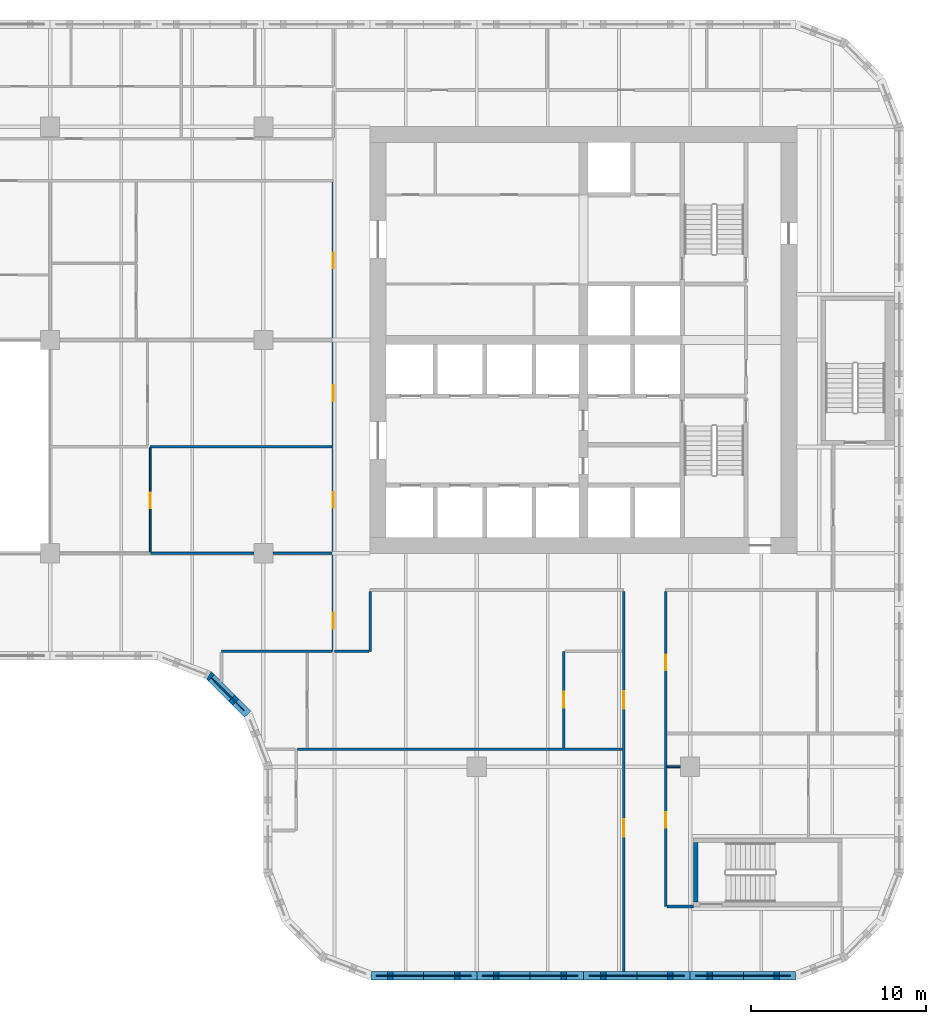
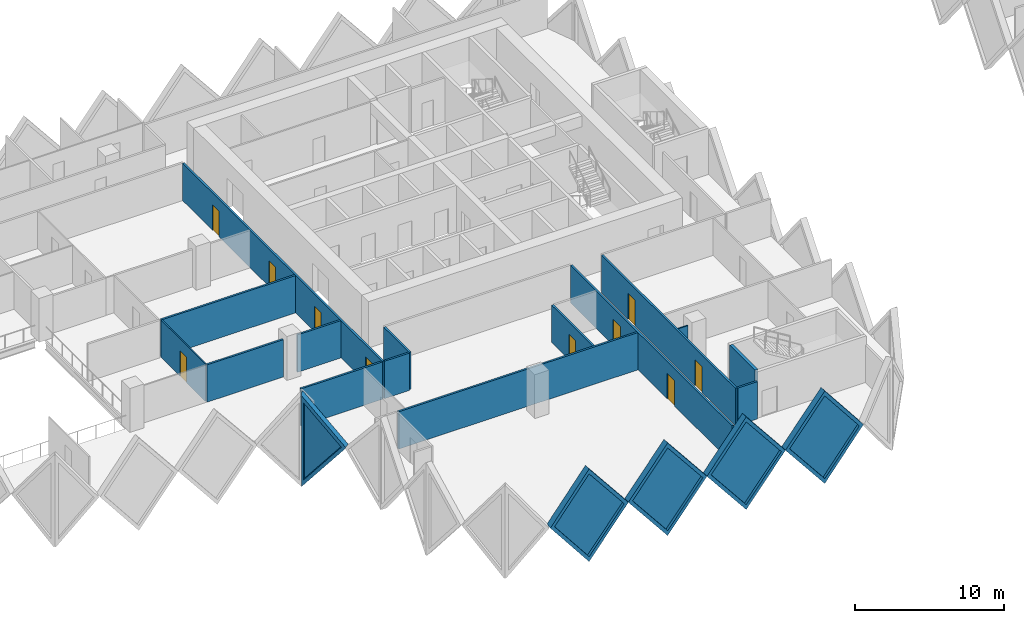
# One storey, part 5 of 18: 20 walls, 10 doors, 5 plates, 15 openings.
"""IFC4 building model written with IfcOpenShell, lengths in metres."""

from ifc_helpers import new_model, si_unit, direction, frame, frame_2d, origin, place, context, subcontext, project, spatial, polyline, rectangle, outline, extrude, faceted_brep, source, transform, mapped, material, layer, layer_set, type_object, element, fill, save


model = new_model("IFC4")

# Units and contexts
model_context = context("Model", 3, precision=1e-05, world=origin(), true_north=direction((0.0, 1.0)))
body_context = subcontext(model_context, "Body", "Model", "MODEL_VIEW")
ifc_project = project(units=[si_unit("LENGTHUNIT", "METRE"), si_unit("AREAUNIT", "SQUARE_METRE"), si_unit("VOLUMEUNIT", "CUBIC_METRE"), si_unit("PLANEANGLEUNIT", "RADIAN"), si_unit("MASSUNIT", "GRAM", prefix="KILO")], contexts=[model_context])

# Site, building, storey
site_placement = place(None, origin())
site = spatial("IfcSite", under=ifc_project, at=site_placement, CompositionType="ELEMENT")
building_placement = place(site_placement, origin())
building = spatial("IfcBuilding", under=site, at=building_placement, Name="Tessera Gate Towers", CompositionType="ELEMENT")
storey_placement = place(building_placement, frame((0.0, 0.0, 44.800048828125)))
storey = spatial("IfcBuildingStorey", under=building, at=storey_placement, Name="L10", CompositionType="ELEMENT", Elevation=44.800048828125)

# Wall
ifc_material_1 = material(Name="Concrete C40/50", Category="concrete")
ifc_layer_1 = layer(ifc_material_1, 0.25)
ifc_layer_set_1 = layer_set([ifc_layer_1], Name="CORE ENCLOSURE WALL 250")
wall_type_1 = type_object("IfcWallType", Name="CORE ENCLOSURE WALL 250", PredefinedType="SOLIDWALL", material=ifc_layer_set_1)
wall_1_placement = place(storey_placement, frame((49.125, 4.449951171875, 0.0), z_axis=(0.0, 0.0, 1.0), x_axis=(0.0, 1.0, 0.0)))
element("IfcWall", 1, at=wall_1_placement, inside=storey, type_object=wall_type_1, Name="L10 ST4 enclosure wall", PredefinedType="SOLIDWALL", context=body_context, shape_type="SweptSolid", body=[
    extrude(rectangle(XDim=3.400146484375, YDim=0.25, at=frame_2d((1.7001953125, 0.0))), origin(), (0.0, 0.0, 1.0), 3.800048828125),
])

# Wall, openings, doors
ifc_material_2 = material(Name="Gypsum board on steel studs, mineral wool", Category="steel")
ifc_layer_2 = layer(ifc_material_2, 0.14990234375)
ifc_layer_set_2 = layer_set([ifc_layer_2], Name="CORRIDOR WALL 150")
wall_type_2 = type_object("IfcWallType", Name="CORRIDOR WALL 150", PredefinedType="PARTITIONING", material=ifc_layer_set_2)
wall_2_placement = place(storey_placement, frame((45.0, 0.5, 0.0), z_axis=(0.0, 0.0, 1.0), x_axis=(0.0, 1.0, 0.0)))
wall_2 = element("IfcWall", 2, at=wall_2_placement, inside=storey, type_object=wall_type_2, Name="T1-L10-PW-001", PredefinedType="PARTITIONING", context=body_context, shape_type="SweptSolid", body=[
    extrude(rectangle(XDim=21.72412109375, YDim=0.14990234375, at=frame_2d((10.862060546875, 0.0))), origin(), (0.0, 0.0, 1.0), 3.06689453125),
])
shared_shape_1 = source(origin(), body_context, "Body", "SweptSolid", [
    extrude(rectangle(XDim=1.0, YDim=2.10009765625, at=frame_2d((0.5, 1.050048828125))), frame((0.0, 0.0849609375, 0.0), z_axis=(0.0, -1.0, 0.0), x_axis=(1.0, 0.0, 0.0)), (0.0, 0.0, 1.0), 0.169921875),
])
opening_1_placement = place(wall_2_placement, frame((15.0009765625, 0.0, 0.0)))
opening_1 = element("IfcOpeningElement", 3, at=opening_1_placement, cuts=wall_2, Name="Opening D2100FD60-A03-01", PredefinedType="OPENING", context=body_context, shape_type="MappedRepresentation", body=[
    mapped(shared_shape_1, transform((0.0, 0.0, 0.0), scale=1.0)),
])
opening_2_placement = place(wall_2_placement, frame((7.699951171875, 0.0, 0.0)))
opening_2 = element("IfcOpeningElement", 4, at=opening_2_placement, cuts=wall_2, Name="Opening D2100FD60-A03-02", PredefinedType="OPENING", context=body_context, shape_type="MappedRepresentation", body=[
    mapped(shared_shape_1, transform((0.0, 0.0, 0.0), scale=1.0)),
])
ifc_material_3 = material(Name="Timber door leaf in steel frame", Category="steel")
door_type_1 = type_object("IfcDoorType", Name="TENANCY ENTRANCE DOOR 1000 FD60", OperationType="NOTDEFINED", PredefinedType="DOOR", material=ifc_material_3)
shared_shape_2 = source(origin(), body_context, "Body", "SweptSolid", [
    extrude(rectangle(XDim=1.0, YDim=2.10009765625, at=frame_2d((0.5, 1.050048828125))), frame((0.0, 0.02490234375, 0.0), z_axis=(0.0, -1.0, 0.0), x_axis=(1.0, 0.0, 0.0)), (0.0, 0.0, 1.0), 0.050048828125),
])
door_1_placement = place(opening_1_placement, origin())
door_1 = element("IfcDoor", 5, at=door_1_placement, inside=storey, type_object=door_type_1, Name="T1-L10-PD-010", OperationType="SINGLE_SWING_LEFT", OverallHeight=2.10009765625, OverallWidth=1.0, PredefinedType="DOOR", context=body_context, shape_type="MappedRepresentation", body=[
    mapped(shared_shape_2, transform((0.0, 0.0, 0.0), scale=1.0)),
])
fill(opening_1, door_1)
door_2_placement = place(opening_2_placement, origin())
door_2 = element("IfcDoor", 6, at=door_2_placement, inside=storey, type_object=door_type_1, Name="T1-L10-PD-024", OperationType="SINGLE_SWING_LEFT", OverallHeight=2.10009765625, OverallWidth=1.0, PredefinedType="DOOR", context=body_context, shape_type="MappedRepresentation", body=[
    mapped(shared_shape_2, transform((0.0, 0.0, 0.0), scale=1.0)),
])
fill(opening_2, door_2)

wall_3_placement = place(storey_placement, frame((47.39990234375, 22.22412109375, 0.0), z_axis=(0.0, 0.0, 1.0), x_axis=(0.0, -1.0, 0.0)))
wall_3 = element("IfcWall", 7, at=wall_3_placement, inside=storey, type_object=wall_type_2, Name="T1-L10-PW-003", PredefinedType="PARTITIONING", context=body_context, shape_type="SweptSolid", body=[
    extrude(rectangle(XDim=18.024169921875, YDim=0.14990234375, at=frame_2d((9.01220703125, 0.0))), origin(), (0.0, 0.0, 1.0), 3.06689453125),
])
shared_shape_3 = source(origin(), body_context, "Body", "SweptSolid", [
    extrude(rectangle(XDim=0.89990234375, YDim=2.10009765625, at=frame_2d((0.449951171875, 1.050048828125))), frame((0.0, 0.0849609375, 0.0), z_axis=(0.0, -1.0, 0.0), x_axis=(1.0, 0.0, 0.0)), (0.0, 0.0, 1.0), 0.169921875),
])
opening_3_placement = place(wall_3_placement, frame((3.623046875, 0.0, 0.0)))
opening_3 = element("IfcOpeningElement", 8, at=opening_3_placement, cuts=wall_3, Name="Opening D890FD60-A03-05", PredefinedType="OPENING", context=body_context, shape_type="MappedRepresentation", body=[
    mapped(shared_shape_3, transform((0.0, 0.0, 0.0), scale=1.0)),
])
opening_4_placement = place(wall_3_placement, frame((12.6240234375, 0.0, 0.0)))
opening_4 = element("IfcOpeningElement", 9, at=opening_4_placement, cuts=wall_3, Name="Opening D890FD60-A03-10", PredefinedType="OPENING", context=body_context, shape_type="MappedRepresentation", body=[
    mapped(shared_shape_3, transform((0.0, 0.0, 0.0), scale=1.0)),
])
ifc_material_4 = material(Name="Timber door leaf in steel frame", Category="steel")
door_type_2 = type_object("IfcDoorType", Name="CORRIDOR DOOR 900 FD60", OperationType="NOTDEFINED", PredefinedType="DOOR", material=ifc_material_4)
shared_shape_4 = source(origin(), body_context, "Body", "SweptSolid", [
    extrude(rectangle(XDim=0.89990234375, YDim=2.10009765625, at=frame_2d((0.449951171875, 1.050048828125))), frame((0.0, 0.02490234375, 0.0), z_axis=(0.0, -1.0, 0.0), x_axis=(1.0, 0.0, 0.0)), (0.0, 0.0, 1.0), 0.050048828125),
])
door_3_placement = place(opening_3_placement, origin())
door_3 = element("IfcDoor", 10, at=door_3_placement, inside=storey, type_object=door_type_2, Name="T1-L10-PD-020", OperationType="SINGLE_SWING_RIGHT", OverallHeight=2.10009765625, OverallWidth=0.89990234375, PredefinedType="DOOR", context=body_context, shape_type="MappedRepresentation", body=[
    mapped(shared_shape_4, transform((0.0, 0.0, 0.0), scale=1.0)),
])
fill(opening_3, door_3)
door_4_placement = place(opening_4_placement, origin())
door_4 = element("IfcDoor", 11, at=door_4_placement, inside=storey, type_object=door_type_2, Name="T1-L10-PD-027", OperationType="SINGLE_SWING_RIGHT", OverallHeight=2.10009765625, OverallWidth=0.89990234375, PredefinedType="DOOR", context=body_context, shape_type="MappedRepresentation", body=[
    mapped(shared_shape_4, transform((0.0, 0.0, 0.0), scale=1.0)),
])
fill(opening_4, door_4)

# Wall
wall_4_placement = place(storey_placement, frame((47.47607421875, 4.199951171875, 0.0), z_axis=(0.0, 0.0, 1.0), x_axis=(1.0, 0.0, 0.0)))
element("IfcWall", 12, at=wall_4_placement, inside=storey, type_object=wall_type_2, Name="T1-L10-PW-004", PredefinedType="PARTITIONING", context=body_context, shape_type="SweptSolid", body=[
    extrude(rectangle(XDim=1.52392578125, YDim=0.14990234375, at=frame_2d((0.761962890625, 0.0))), origin(), (0.0, 0.0, 1.0), 3.06689453125),
])

# Wall, openings, doors
wall_5_placement = place(storey_placement, frame((28.39990234375, 18.800048828125, 0.0), z_axis=(0.0, 0.0, 1.0), x_axis=(0.0, 1.0, 0.0)))
wall_5 = element("IfcWall", 13, at=wall_5_placement, inside=storey, type_object=wall_type_2, Name="T1-L10-PW-017", PredefinedType="PARTITIONING", context=body_context, shape_type="SweptSolid", body=[
    extrude(rectangle(XDim=26.823974609375, YDim=0.14990234375, at=frame_2d((13.412109375, 0.0))), origin(), (0.0, 0.0, 1.0), 3.06689453125),
])
opening_5_placement = place(wall_5_placement, frame((1.300048828125, 0.0, 0.0)))
opening_5 = element("IfcOpeningElement", 14, at=opening_5_placement, cuts=wall_5, Name="Opening D890FD60-A03-01", PredefinedType="OPENING", context=body_context, shape_type="MappedRepresentation", body=[
    mapped(shared_shape_3, transform((0.0, 0.0, 0.0), scale=1.0)),
])
opening_6_placement = place(wall_5_placement, frame((14.301025390625, 0.0, 0.0)))
opening_6 = element("IfcOpeningElement", 15, at=opening_6_placement, cuts=wall_5, Name="Opening D890FD60-A03-03", PredefinedType="OPENING", context=body_context, shape_type="MappedRepresentation", body=[
    mapped(shared_shape_3, transform((0.0, 0.0, 0.0), scale=1.0)),
])
opening_7_placement = place(wall_5_placement, frame((8.199951171875, 0.0, 0.0)))
opening_7 = element("IfcOpeningElement", 16, at=opening_7_placement, cuts=wall_5, Name="Opening D890FD60-A03-04", PredefinedType="OPENING", context=body_context, shape_type="MappedRepresentation", body=[
    mapped(shared_shape_3, transform((0.0, 0.0, 0.0), scale=1.0)),
])
opening_8_placement = place(wall_5_placement, frame((21.89990234375, 0.0, 0.0)))
opening_8 = element("IfcOpeningElement", 17, at=opening_8_placement, cuts=wall_5, Name="Opening D890FD60-A03-08", PredefinedType="OPENING", context=body_context, shape_type="MappedRepresentation", body=[
    mapped(shared_shape_3, transform((0.0, 0.0, 0.0), scale=1.0)),
])
door_5_placement = place(opening_5_placement, origin())
door_5 = element("IfcDoor", 18, at=door_5_placement, inside=storey, type_object=door_type_2, Name="T1-L10-PD-001", OperationType="SINGLE_SWING_LEFT", OverallHeight=2.10009765625, OverallWidth=0.89990234375, PredefinedType="DOOR", context=body_context, shape_type="MappedRepresentation", body=[
    mapped(shared_shape_4, transform((0.0, 0.0, 0.0), scale=1.0)),
])
fill(opening_5, door_5)
door_6_placement = place(opening_6_placement, origin())
door_6 = element("IfcDoor", 19, at=door_6_placement, inside=storey, type_object=door_type_2, Name="T1-L10-PD-016", OperationType="SINGLE_SWING_LEFT", OverallHeight=2.10009765625, OverallWidth=0.89990234375, PredefinedType="DOOR", context=body_context, shape_type="MappedRepresentation", body=[
    mapped(shared_shape_4, transform((0.0, 0.0, 0.0), scale=1.0)),
])
fill(opening_6, door_6)
door_7_placement = place(opening_7_placement, origin())
door_7 = element("IfcDoor", 20, at=door_7_placement, inside=storey, type_object=door_type_2, Name="T1-L10-PD-017", OperationType="SINGLE_SWING_LEFT", OverallHeight=2.10009765625, OverallWidth=0.89990234375, PredefinedType="DOOR", context=body_context, shape_type="MappedRepresentation", body=[
    mapped(shared_shape_4, transform((0.0, 0.0, 0.0), scale=1.0)),
])
fill(opening_7, door_7)
door_8_placement = place(opening_8_placement, origin())
door_8 = element("IfcDoor", 21, at=door_8_placement, inside=storey, type_object=door_type_2, Name="T1-L10-PD-025", OperationType="SINGLE_SWING_LEFT", OverallHeight=2.10009765625, OverallWidth=0.89990234375, PredefinedType="DOOR", context=body_context, shape_type="MappedRepresentation", body=[
    mapped(shared_shape_4, transform((0.0, 0.0, 0.0), scale=1.0)),
])
fill(opening_8, door_8)

# Walls
wall_6_placement = place(storey_placement, frame((28.47607421875, 18.800048828125, 0.0), z_axis=(0.0, 0.0, 1.0), x_axis=(1.0, 0.0, 0.0)))
element("IfcWall", 22, at=wall_6_placement, inside=storey, type_object=wall_type_2, Name="T1-L10-PW-018", PredefinedType="PARTITIONING", context=body_context, shape_type="SweptSolid", body=[
    extrude(rectangle(XDim=1.947998046875, YDim=0.14990234375, at=frame_2d((0.97412109375, 0.0))), origin(), (0.0, 0.0, 1.0), 3.06689453125),
])
wall_7_placement = place(storey_placement, frame((30.5, 18.800048828125, 0.0), z_axis=(0.0, 0.0, 1.0), x_axis=(0.0, 1.0, 0.0)))
element("IfcWall", 23, at=wall_7_placement, inside=storey, type_object=wall_type_2, Name="T1-L10-PW-019", PredefinedType="PARTITIONING", context=body_context, shape_type="SweptSolid", body=[
    extrude(rectangle(XDim=3.424072265625, YDim=0.14990234375, at=frame_2d((1.7119140625, 0.0))), origin(), (0.0, 0.0, 1.0), 3.06689453125),
])

# Wall, opening, door
ifc_material_5 = material(Name="Glass", Category="glass")
ifc_layer_3 = layer(ifc_material_5, 0.10009765625)
ifc_layer_set_3 = layer_set([ifc_layer_3], Name="GLAZED PARTITION 100")
wall_type_3 = type_object("IfcWallType", Name="GLAZED PARTITION 100", PredefinedType="PARTITIONING", material=ifc_layer_set_3)
wall_8_placement = place(storey_placement, frame((17.925048828125, 24.47607421875, 0.0), z_axis=(0.0, 0.0, 1.0), x_axis=(0.0, 1.0, 0.0)))
wall_8 = element("IfcWall", 24, at=wall_8_placement, inside=storey, type_object=wall_type_3, Name="T1-L10-PW-029", PredefinedType="PARTITIONING", context=body_context, shape_type="SweptSolid", body=[
    extrude(rectangle(XDim=5.947998046875, YDim=0.10009765625, at=frame_2d((2.97412109375, 0.0))), origin(), (0.0, 0.0, 1.0), 3.06689453125),
])
shared_shape_5 = source(origin(), body_context, "Body", "SweptSolid", [
    extrude(rectangle(XDim=0.89990234375, YDim=2.10009765625, at=frame_2d((0.449951171875, 1.050048828125))), frame((0.0, 0.06005859375, 0.0), z_axis=(0.0, -1.0, 0.0), x_axis=(1.0, 0.0, 0.0)), (0.0, 0.0, 1.0), 0.1201171875),
])
opening_9_placement = place(wall_8_placement, frame((2.5, 0.0, 0.0)))
opening_9 = element("IfcOpeningElement", 25, at=opening_9_placement, cuts=wall_8, Name="Opening D690-A03-02", PredefinedType="OPENING", context=body_context, shape_type="MappedRepresentation", body=[
    mapped(shared_shape_5, transform((0.0, 0.0, 0.0), scale=1.0)),
])
ifc_material_6 = material(Name="Glass in aluminium frame", Category="aluminium")
door_type_3 = type_object("IfcDoorType", Name="GLAZED DOOR 900 NOT RATED", OperationType="NOTDEFINED", PredefinedType="DOOR", material=ifc_material_6)
door_9_placement = place(opening_9_placement, origin())
door_9 = element("IfcDoor", 26, at=door_9_placement, inside=storey, type_object=door_type_3, Name="T1-L10-PD-013", OperationType="SINGLE_SWING_LEFT", OverallHeight=2.10009765625, OverallWidth=0.89990234375, PredefinedType="DOOR", context=body_context, shape_type="MappedRepresentation", body=[
    mapped(shared_shape_4, transform((0.0, 0.0, 0.0), scale=1.0)),
])
fill(opening_9, door_9)

# Walls
ifc_material_7 = material(Name="Gypsum board on steel studs", Category="steel")
ifc_layer_4 = layer(ifc_material_7, 0.10009765625)
ifc_layer_set_4 = layer_set([ifc_layer_4], Name="PARTITION 100")
wall_type_4 = type_object("IfcWallType", Name="PARTITION 100", PredefinedType="PARTITIONING", material=ifc_layer_set_4)
wall_9_placement = place(storey_placement, frame((48.25, 12.199951171875, 0.0), z_axis=(0.0, 0.0, 1.0), x_axis=(-1.0, 0.0, 0.0)))
element("IfcWall", 27, at=wall_9_placement, inside=storey, type_object=wall_type_4, Name="T1-L10-PW-008", PredefinedType="PARTITIONING", context=body_context, shape_type="SweptSolid", body=[
    extrude(rectangle(XDim=0.77490234375, YDim=0.10009765625, at=frame_2d((0.387451171875, 0.0))), origin(), (0.0, 0.0, 1.0), 3.06689453125),
])
ifc_material_8 = material(Name="Gypsum board on steel studs, mineral wool", Category="steel")
ifc_layer_5 = layer(ifc_material_8, 0.14990234375)
ifc_layer_set_5 = layer_set([ifc_layer_5], Name="TENANCY WALL 150")
wall_type_5 = type_object("IfcWallType", Name="TENANCY WALL 150", PredefinedType="PARTITIONING", material=ifc_layer_set_5)
wall_10_placement = place(storey_placement, frame((26.35107421875, 13.199951171875, 0.0), z_axis=(0.0, 0.0, 1.0), x_axis=(1.0, 0.0, 0.0)))
element("IfcWall", 28, at=wall_10_placement, inside=storey, type_object=wall_type_5, Name="T1-L10-PW-010", PredefinedType="PARTITIONING", context=body_context, shape_type="SweptSolid", body=[
    extrude(rectangle(XDim=18.572998046875, YDim=0.14990234375, at=frame_2d((9.28662109375, 0.0))), origin(), (0.0, 0.0, 1.0), 3.06689453125),
])

# Wall, opening, door
wall_11_placement = place(storey_placement, frame((41.574951171875, 13.27587890625, 0.0), z_axis=(0.0, 0.0, 1.0), x_axis=(0.0, 1.0, 0.0)))
wall_11 = element("IfcWall", 29, at=wall_11_placement, inside=storey, type_object=wall_type_5, Name="T1-L10-PW-012", PredefinedType="PARTITIONING", context=body_context, shape_type="SweptSolid", body=[
    extrude(rectangle(XDim=5.524169921875, YDim=0.14990234375, at=frame_2d((2.76220703125, 0.0))), origin(), (0.0, 0.0, 1.0), 3.06689453125),
])
opening_10_placement = place(wall_11_placement, frame((2.300048828125, 0.0, 0.0)))
opening_10 = element("IfcOpeningElement", 30, at=opening_10_placement, cuts=wall_11, Name="Opening D190-A03-11", PredefinedType="OPENING", context=body_context, shape_type="MappedRepresentation", body=[
    mapped(shared_shape_3, transform((0.0, 0.0, 0.0), scale=1.0)),
])
ifc_material_9 = material(Name="Timber door leaf in steel frame", Category="steel")
door_type_4 = type_object("IfcDoorType", Name="INTERNAL DOOR 900 NOT RATED", OperationType="NOTDEFINED", PredefinedType="DOOR", material=ifc_material_9)
door_10_placement = place(opening_10_placement, origin())
door_10 = element("IfcDoor", 31, at=door_10_placement, inside=storey, type_object=door_type_4, Name="T1-L10-PD-023", OperationType="SINGLE_SWING_LEFT", OverallHeight=2.10009765625, OverallWidth=0.89990234375, PredefinedType="DOOR", context=body_context, shape_type="MappedRepresentation", body=[
    mapped(shared_shape_4, transform((0.0, 0.0, 0.0), scale=1.0)),
])
fill(opening_10, door_10)

# Walls
wall_12_placement = place(storey_placement, frame((22.0, 18.800048828125, 0.0), z_axis=(0.0, 0.0, 1.0), x_axis=(1.0, 0.0, 0.0)))
element("IfcWall", 32, at=wall_12_placement, inside=storey, type_object=wall_type_5, Name="T1-L10-PW-016", PredefinedType="PARTITIONING", context=body_context, shape_type="SweptSolid", body=[
    extrude(rectangle(XDim=6.323974609375, YDim=0.14990234375, at=frame_2d((3.162109375, 0.0))), origin(), (0.0, 0.0, 1.0), 3.06689453125),
])
wall_13_placement = place(storey_placement, frame((17.925048828125, 24.39990234375, 0.0), z_axis=(0.0, 0.0, 1.0), x_axis=(1.0, 0.0, 0.0)))
element("IfcWall", 33, at=wall_13_placement, inside=storey, type_object=wall_type_5, Name="T1-L10-PW-027", PredefinedType="PARTITIONING", context=body_context, shape_type="SweptSolid", body=[
    extrude(rectangle(XDim=5.924072265625, YDim=0.14990234375, at=frame_2d((2.9619140625, 0.0))), origin(), (0.0, 0.0, 1.0), 3.06689453125),
])
wall_14_placement = place(storey_placement, frame((24.950927734375, 24.39990234375, 0.0), z_axis=(0.0, 0.0, 1.0), x_axis=(1.0, 0.0, 0.0)))
element("IfcWall", 34, at=wall_14_placement, inside=storey, type_object=wall_type_5, Name="T1-L10-PW-028", PredefinedType="PARTITIONING", context=body_context, shape_type="SweptSolid", body=[
    extrude(rectangle(XDim=3.373046875, YDim=0.14990234375, at=frame_2d((1.6865234375, 0.0))), origin(), (0.0, 0.0, 1.0), 3.06689453125),
])
wall_15_placement = place(storey_placement, frame((17.925048828125, 30.5, 0.0), z_axis=(0.0, 0.0, 1.0), x_axis=(1.0, 0.0, 0.0)))
element("IfcWall", 35, at=wall_15_placement, inside=storey, type_object=wall_type_5, Name="T1-L10-PW-031", PredefinedType="PARTITIONING", context=body_context, shape_type="SweptSolid", body=[
    extrude(rectangle(XDim=10.39892578125, YDim=0.14990234375, at=frame_2d((5.199462890625, 0.0))), origin(), (0.0, 0.0, 1.0), 3.06689453125),
])

# Wall, opening, plate
ifc_material_10 = material(Name="Precast concrete C60/75 white", Category="concrete")
ifc_layer_6 = layer(ifc_material_10, 0.5)
ifc_layer_set_6 = layer_set([ifc_layer_6], Name="TS1 tessera")
wall_type_6 = type_object("IfcWallType", Name="TS1 tessera", PredefinedType="SOLIDWALL", material=ifc_layer_set_6)
shared_shape_6 = source(origin(), body_context, "Body", "Brep", [
    faceted_brep([(3.00341796875, -0.25, 0.0), (6.053466796875, -0.25, 3.800048828125), (3.00341796875, -0.25, 7.60009765625), (0.0, -0.25, 3.800048828125), (0.046630859375, 0.25, 3.85888671875), (3.00341796875, 0.25, 7.60009765625), (6.053466796875, 0.25, 3.800048828125), (3.00341796875, 0.25, 0.0), (0.046630859375, 0.25, 3.7412109375), (0.0, 0.0, 3.800048828125)], [[[0, 1, 2, 3]], [[4, 5, 6, 7, 8]], [[7, 6, 1, 0]], [[6, 5, 2, 1]], [[5, 4, 9, 3, 2]], [[8, 7, 0, 3, 9]], [[8, 9, 4]]]),
])
wall_16_placement = place(storey_placement, frame((30.546630859375, 0.25, -3.800048828125), z_axis=(0.0, 0.0, 1.0), x_axis=(1.0, 0.0, 0.0)))
wall_16 = element("IfcWall", 36, at=wall_16_placement, inside=storey, type_object=wall_type_6, Name="Precast tessera T1 TS1-0115", PredefinedType="SOLIDWALL", context=body_context, shape_type="MappedRepresentation", body=[
    mapped(shared_shape_6, transform((0.0, 0.0, 0.0), scale=1.0)),
])
shared_shape_7 = source(origin(), body_context, "Body", "SweptSolid", [
    extrude(outline(polyline([(3.0048828125, 0.4013671875), (5.73291015625, 3.800048828125), (3.0048828125, 7.19873046875), (0.318603515625, 3.800048828125), (3.0048828125, 0.4013671875)])), frame((0.0, 0.260009765625, 0.0), z_axis=(0.0, -1.0, 0.0), x_axis=(1.0, 0.0, 0.0)), (0.0, 0.0, 1.0), 0.52001953125),
])
opening_11_placement = place(wall_16_placement, origin())
opening_11 = element("IfcOpeningElement", 37, at=opening_11_placement, cuts=wall_16, Name="Opening T1-PL2-0235", PredefinedType="OPENING", context=body_context, shape_type="MappedRepresentation", body=[
    mapped(shared_shape_7, transform((0.0, 0.0, 0.0), scale=1.0)),
])
ifc_material_11 = material(Name="Low-e laminated glass", Category="glass")
ifc_layer_7 = layer(ifc_material_11, 0.06005859375)
ifc_layer_set_7 = layer_set([ifc_layer_7], Name="PL2 rhombic pane")
plate_type = type_object("IfcPlateType", Name="PL2 rhombic pane", PredefinedType="SHEET", material=ifc_layer_set_7)
shared_shape_8 = source(origin(), body_context, "Body", "SweptSolid", [
    extrude(outline(polyline([(3.0048828125, 0.4013671875), (5.73291015625, 3.800048828125), (3.0048828125, 7.19873046875), (0.318603515625, 3.800048828125), (3.0048828125, 0.4013671875)])), frame((0.0, 0.030029296875, 0.0), z_axis=(0.0, -1.0, 0.0), x_axis=(1.0, 0.0, 0.0)), (0.0, 0.0, 1.0), 0.06005859375),
])
plate_1_placement = place(opening_11_placement, origin())
plate_1 = element("IfcPlate", 38, at=plate_1_placement, inside=storey, type_object=plate_type, Name="Glass pane T1 PL2-0235", PredefinedType="SHEET", context=body_context, shape_type="MappedRepresentation", body=[
    mapped(shared_shape_8, transform((0.0, 0.0, 0.0), scale=1.0)),
])
fill(opening_11, plate_1)

shared_shape_9 = source(origin(), body_context, "Body", "Brep", [
    faceted_brep([(3.050048828125, -0.25, 0.0), (6.099853515625, -0.25, 3.7998046875), (6.099853515625, -0.25, 3.80029296875), (3.050048828125, -0.25, 7.60009765625), (0.0, -0.25, 3.800048828125), (0.0, 0.25, 3.800048828125), (3.050048828125, 0.25, 7.60009765625), (6.099853515625, 0.25, 3.80029296875), (6.099853515625, 0.25, 3.7998046875), (3.050048828125, 0.25, 0.0)], [[[0, 1, 2, 3, 4]], [[5, 6, 7, 8, 9]], [[9, 8, 1, 0]], [[7, 6, 3, 2]], [[6, 5, 4, 3]], [[5, 9, 0, 4]], [[1, 8, 7, 2]]]),
])
wall_17_placement = place(storey_placement, frame((36.60009765625, 0.25, -3.800048828125), z_axis=(0.0, 0.0, 1.0), x_axis=(1.0, 0.0, 0.0)))
wall_17 = element("IfcWall", 39, at=wall_17_placement, inside=storey, type_object=wall_type_6, Name="Precast tessera T1 TS1-0116", PredefinedType="SOLIDWALL", context=body_context, shape_type="MappedRepresentation", body=[
    mapped(shared_shape_9, transform((0.0, 0.0, 0.0), scale=1.0)),
])
shared_shape_10 = source(origin(), body_context, "Body", "SweptSolid", [
    extrude(outline(polyline([(3.050048828125, 0.3994140625), (5.779541015625, 3.800048828125), (3.050048828125, 7.20068359375), (0.320556640625, 3.800048828125), (3.050048828125, 0.3994140625)])), frame((0.0, 0.260009765625, 0.0), z_axis=(0.0, -1.0, 0.0), x_axis=(1.0, 0.0, 0.0)), (0.0, 0.0, 1.0), 0.52001953125),
])
opening_12_placement = place(wall_17_placement, origin())
opening_12 = element("IfcOpeningElement", 40, at=opening_12_placement, cuts=wall_17, Name="Opening T1-PL2-0236", PredefinedType="OPENING", context=body_context, shape_type="MappedRepresentation", body=[
    mapped(shared_shape_10, transform((0.0, 0.0, 0.0), scale=1.0)),
])
shared_shape_11 = source(origin(), body_context, "Body", "SweptSolid", [
    extrude(outline(polyline([(3.050048828125, 0.3994140625), (5.779541015625, 3.800048828125), (3.050048828125, 7.20068359375), (0.320556640625, 3.800048828125), (3.050048828125, 0.3994140625)])), frame((0.0, 0.030029296875, 0.0), z_axis=(0.0, -1.0, 0.0), x_axis=(1.0, 0.0, 0.0)), (0.0, 0.0, 1.0), 0.06005859375),
])
plate_2_placement = place(opening_12_placement, origin())
plate_2 = element("IfcPlate", 41, at=plate_2_placement, inside=storey, type_object=plate_type, Name="Glass pane T1 PL2-0236", PredefinedType="SHEET", context=body_context, shape_type="MappedRepresentation", body=[
    mapped(shared_shape_11, transform((0.0, 0.0, 0.0), scale=1.0)),
])
fill(opening_12, plate_2)

shared_shape_12 = source(origin(), body_context, "Body", "SweptSolid", [
    extrude(outline(polyline([(3.050048828125, 0.0), (6.10009765625, 3.800048828125), (3.050048828125, 7.60009765625), (0.0, 3.800048828125), (3.050048828125, 0.0)])), frame((0.0, 0.25, 0.0), z_axis=(0.0, -1.0, 0.0), x_axis=(1.0, 0.0, 0.0)), (0.0, 0.0, 1.0), 0.5),
])
wall_18_placement = place(storey_placement, frame((42.699951171875, 0.25, -3.800048828125), z_axis=(0.0, 0.0, 1.0), x_axis=(1.0, 0.0, 0.0)))
wall_18 = element("IfcWall", 42, at=wall_18_placement, inside=storey, type_object=wall_type_6, Name="Precast tessera T1 TS1-0117", PredefinedType="SOLIDWALL", context=body_context, shape_type="MappedRepresentation", body=[
    mapped(shared_shape_12, transform((0.0, 0.0, 0.0), scale=1.0)),
])
opening_13_placement = place(wall_18_placement, origin())
opening_13 = element("IfcOpeningElement", 43, at=opening_13_placement, cuts=wall_18, Name="Opening T1-PL2-0237", PredefinedType="OPENING", context=body_context, shape_type="MappedRepresentation", body=[
    mapped(shared_shape_10, transform((0.0, 0.0, 0.0), scale=1.0)),
])
plate_3_placement = place(opening_13_placement, origin())
plate_3 = element("IfcPlate", 44, at=plate_3_placement, inside=storey, type_object=plate_type, Name="Glass pane T1 PL2-0237", PredefinedType="SHEET", context=body_context, shape_type="MappedRepresentation", body=[
    mapped(shared_shape_11, transform((0.0, 0.0, 0.0), scale=1.0)),
])
fill(opening_13, plate_3)

shared_shape_13 = source(origin(), body_context, "Body", "Brep", [
    faceted_brep([(3.050048828125, -0.25, 0.0), (6.053466796875, -0.25, 3.800048828125), (3.050048828125, -0.25, 7.60009765625), (0.0, -0.25, 3.800048828125), (0.0, 0.25, 3.800048828125), (3.050048828125, 0.25, 7.60009765625), (6.0068359375, 0.25, 3.85888671875), (6.0068359375, 0.25, 3.7412109375), (3.050048828125, 0.25, 0.0), (6.053466796875, 0.0, 3.800048828125)], [[[0, 1, 2, 3]], [[4, 5, 6, 7, 8]], [[8, 7, 9, 1, 0]], [[6, 5, 2, 1, 9]], [[5, 4, 3, 2]], [[4, 8, 0, 3]], [[9, 7, 6]]]),
])
wall_19_placement = place(storey_placement, frame((48.800048828125, 0.25, -3.800048828125), z_axis=(0.0, 0.0, 1.0), x_axis=(1.0, 0.0, 0.0)))
wall_19 = element("IfcWall", 45, at=wall_19_placement, inside=storey, type_object=wall_type_6, Name="Precast tessera T1 TS1-0118", PredefinedType="SOLIDWALL", context=body_context, shape_type="MappedRepresentation", body=[
    mapped(shared_shape_13, transform((0.0, 0.0, 0.0), scale=1.0)),
])
shared_shape_14 = source(origin(), body_context, "Body", "SweptSolid", [
    extrude(outline(polyline([(3.048583984375, 0.4013671875), (5.73486328125, 3.800048828125), (3.048583984375, 7.19873046875), (0.320556640625, 3.800048828125), (3.048583984375, 0.4013671875)])), frame((0.0, 0.260009765625, 0.0), z_axis=(0.0, -1.0, 0.0), x_axis=(1.0, 0.0, 0.0)), (0.0, 0.0, 1.0), 0.52001953125),
])
opening_14_placement = place(wall_19_placement, origin())
opening_14 = element("IfcOpeningElement", 46, at=opening_14_placement, cuts=wall_19, Name="Opening T1-PL2-0238", PredefinedType="OPENING", context=body_context, shape_type="MappedRepresentation", body=[
    mapped(shared_shape_14, transform((0.0, 0.0, 0.0), scale=1.0)),
])
shared_shape_15 = source(origin(), body_context, "Body", "SweptSolid", [
    extrude(outline(polyline([(3.048583984375, 0.4013671875), (5.73486328125, 3.800048828125), (3.048583984375, 7.19873046875), (0.320556640625, 3.800048828125), (3.048583984375, 0.4013671875)])), frame((0.0, 0.030029296875, 0.0), z_axis=(0.0, -1.0, 0.0), x_axis=(1.0, 0.0, 0.0)), (0.0, 0.0, 1.0), 0.06005859375),
])
plate_4_placement = place(opening_14_placement, origin())
plate_4 = element("IfcPlate", 47, at=plate_4_placement, inside=storey, type_object=plate_type, Name="Glass pane T1 PL2-0238", PredefinedType="SHEET", context=body_context, shape_type="MappedRepresentation", body=[
    mapped(shared_shape_15, transform((0.0, 0.0, 0.0), scale=1.0)),
])
fill(opening_14, plate_4)

ifc_material_12 = material(Name="Precast concrete C60/75 white", Category="concrete")
ifc_layer_8 = layer(ifc_material_12, 0.5)
ifc_layer_set_8 = layer_set([ifc_layer_8], Name="TS3 corner tessera")
wall_type_7 = type_object("IfcWallType", Name="TS3 corner tessera", PredefinedType="SOLIDWALL", material=ifc_layer_set_8)
shared_shape_16 = source(origin(), body_context, "Body", "Brep", [
    faceted_brep([(0.10595703125, -0.25, 0.063720703125), (3.156005859375, -0.25, 3.736328125), (3.156005859375, -0.25, 3.86376953125), (0.10595703125, -0.25, 7.536376953125), (0.0, 0.25, 7.5361328125), (0.052978515625, 0.25, 7.60009765625), (3.208740234375, 0.25, 3.800048828125), (0.052978515625, 0.25, 0.0), (0.0, 0.25, 0.06396484375), (3.208740234375, -0.00048828125, 3.800048828125), (0.052978515625, 0.0, 0.0), (0.052978515625, 0.0, 7.60009765625)], [[[0, 1, 2, 3]], [[4, 5, 6, 7, 8]], [[7, 6, 9, 1, 0, 10]], [[6, 5, 11, 3, 2, 9]], [[5, 4, 11]], [[8, 7, 10]], [[8, 10, 0, 3, 11, 4]], [[1, 9, 2]]]),
])
wall_20_placement = place(storey_placement, frame((21.24755859375, 17.453857421875, -3.800048828125), z_axis=(0.0, 0.0, 1.0), x_axis=(0.707106781187, -0.707106781187, 0.0)))
wall_20 = element("IfcWall", 48, at=wall_20_placement, inside=storey, type_object=wall_type_7, Name="Precast corner tessera T1 TS3-0210", PredefinedType="SOLIDWALL", context=body_context, shape_type="MappedRepresentation", body=[
    mapped(shared_shape_16, transform((0.0, 0.0, 0.0), scale=1.0)),
])
shared_shape_17 = source(origin(), body_context, "Body", "SweptSolid", [
    extrude(outline(polyline([(0.2529296875, 0.632080078125), (2.8837890625, 3.800048828125), (0.2529296875, 6.9677734375), (0.2529296875, 0.632080078125)])), frame((0.0, 0.260009765625, 0.0), z_axis=(0.0, -1.0, 0.0), x_axis=(1.0, 0.0, 0.0)), (0.0, 0.0, 1.0), 0.52001953125),
])
opening_15_placement = place(wall_20_placement, origin())
opening_15 = element("IfcOpeningElement", 49, at=opening_15_placement, cuts=wall_20, Name="Opening T1-PL2-0275", PredefinedType="OPENING", context=body_context, shape_type="MappedRepresentation", body=[
    mapped(shared_shape_17, transform((0.0, 0.0, 0.0), scale=1.0)),
])
shared_shape_18 = source(origin(), body_context, "Body", "SweptSolid", [
    extrude(outline(polyline([(0.2529296875, 0.632080078125), (2.8837890625, 3.800048828125), (0.2529296875, 6.9677734375), (0.2529296875, 0.632080078125)])), frame((0.0, 0.030029296875, 0.0), z_axis=(0.0, -1.0, 0.0), x_axis=(1.0, 0.0, 0.0)), (0.0, 0.0, 1.0), 0.06005859375),
])
plate_5_placement = place(opening_15_placement, origin())
plate_5 = element("IfcPlate", 50, at=plate_5_placement, inside=storey, type_object=plate_type, Name="Glass pane T1 PL2-0275", PredefinedType="SHEET", context=body_context, shape_type="MappedRepresentation", body=[
    mapped(shared_shape_18, transform((0.0, 0.0, 0.0), scale=1.0)),
])
fill(opening_15, plate_5)

save(model, "model.ifc")
